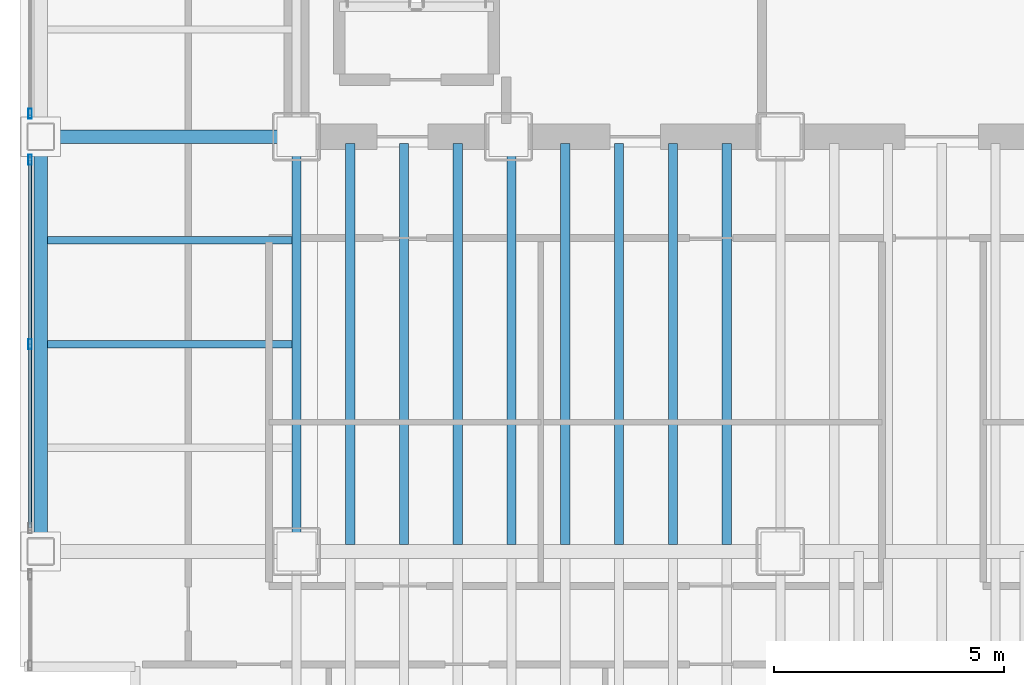
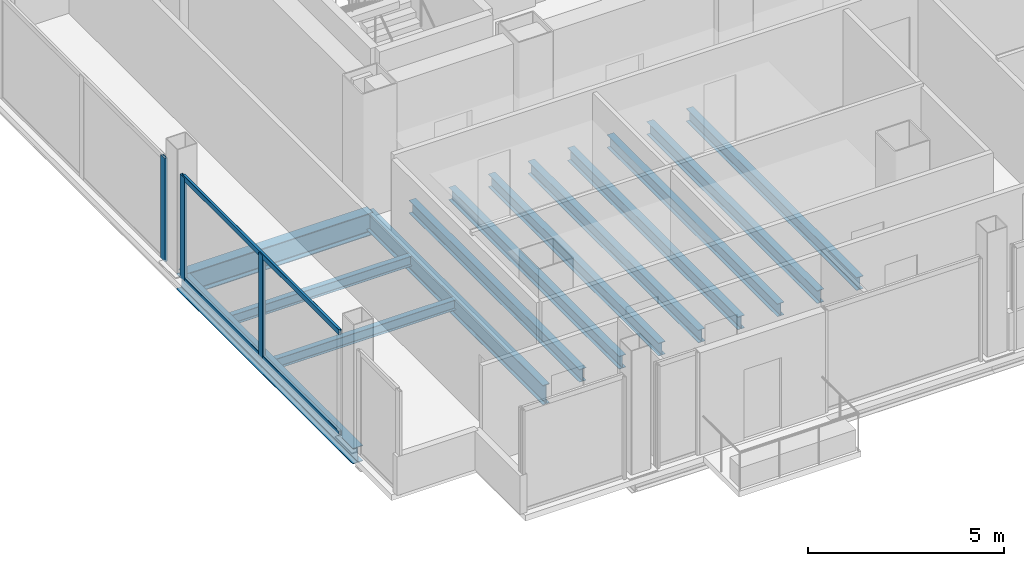
# One storey, part 3 of 20: 13 beams, 5 members, 2 elements without a shape of their own.
"""IFC4 building model written with IfcOpenShell, lengths in metres."""

from ifc_helpers import new_model, si_unit, direction, frame, origin, origin_2d, place, context, subcontext, project, spatial, hollow_rectangle, i_section, extrude, material, material_profile, profile_set, type_object, element, aggregate, save


model = new_model("IFC4")

# Units and contexts
model_context = context("Model", 3, precision=1e-05, world=origin(), true_north=direction((0.0, 1.0)))
body_context = subcontext(model_context, "Body", "Model", "MODEL_VIEW")
ifc_project = project(units=[si_unit("LENGTHUNIT", "METRE"), si_unit("AREAUNIT", "SQUARE_METRE"), si_unit("VOLUMEUNIT", "CUBIC_METRE"), si_unit("PLANEANGLEUNIT", "RADIAN"), si_unit("MASSUNIT", "GRAM", prefix="KILO")], contexts=[model_context])

# Site, building, storey
site_placement = place(None, origin())
site = spatial("IfcSite", under=ifc_project, at=site_placement, CompositionType="ELEMENT")
building_placement = place(site_placement, origin())
building = spatial("IfcBuilding", under=site, at=building_placement, Name="Noeulbin Bourse Tower", CompositionType="ELEMENT")
storey_placement = place(building_placement, frame((0.0, 0.0, 69.39990234375)))
storey = spatial("IfcBuildingStorey", under=building, at=storey_placement, Name="L17", CompositionType="ELEMENT", Elevation=69.39990234375)

# Beams
ifc_material_1 = material(Name="Steel S355", Category="steel")
ifc_material_profile_1 = material_profile(ifc_material_1, i_section(OverallWidth=0.199951171875, OverallDepth=0.60009765625, WebThickness=0.010986328125, FlangeThickness=0.01708984375, FilletRadius=0.02197265625, at=origin_2d()), Name="H-600x200x11x17", Category="LoadBearing")
ifc_profile_set_1 = profile_set([ifc_material_profile_1], Name="Steel S355")
beam_type_1 = type_object("IfcBeamType", Name="BM-GRD-600", PredefinedType="USERDEFINED", material=ifc_profile_set_1)
beam_1_placement = place(storey_placement, frame((13.5, 20.0, -0.47998046875), z_axis=(0.0, 1.0, 0.0), x_axis=(-1.0, 0.0, 0.0)))
element("IfcBeam", 1, at=beam_1_placement, inside=storey, type_object=beam_type_1, Name="Tower Primary Girder NS L17-1.2", ObjectType="GIRDER", PredefinedType="USERDEFINED", context=body_context, shape_type="SweptSolid", body=[
    extrude(i_section(OverallWidth=0.199951171875, OverallDepth=0.60009765625, WebThickness=0.010986328125, FlangeThickness=0.01708984375, FilletRadius=0.02197265625, at=origin_2d()), origin(), (0.0, 0.0, 1.0), 9.0),
])
ifc_material_profile_2 = material_profile(ifc_material_1, i_section(OverallWidth=0.300048828125, OverallDepth=0.699951171875, WebThickness=0.012939453125, FlangeThickness=0.02392578125, FilletRadius=0.02392578125, at=origin_2d()), Name="H-700x300x13x24", Category="LoadBearing")
ifc_profile_set_2 = profile_set([ifc_material_profile_2], Name="Steel S355")
beam_type_2 = type_object("IfcBeamType", Name="BM-GRD-700", PredefinedType="USERDEFINED", material=ifc_profile_set_2)
beam_2_placement = place(storey_placement, frame((7.949951171875, 29.0, -0.52978515625), z_axis=(1.0, 0.0, 0.0), x_axis=(0.0, 1.0, 0.0)))
element("IfcBeam", 2, at=beam_2_placement, inside=storey, type_object=beam_type_2, Name="Tower Primary Girder EW L17-2.1", ObjectType="GIRDER", PredefinedType="USERDEFINED", context=body_context, shape_type="SweptSolid", body=[
    extrude(i_section(OverallWidth=0.300048828125, OverallDepth=0.699951171875, WebThickness=0.012939453125, FlangeThickness=0.02392578125, FilletRadius=0.02392578125, at=origin_2d()), origin(), (0.0, 0.0, 1.0), 5.550048828125),
])
ifc_material_profile_3 = material_profile(ifc_material_1, i_section(OverallWidth=0.159912109375, OverallDepth=0.320068359375, WebThickness=0.006591796875, FlangeThickness=0.010009765625, FilletRadius=0.012939453125, at=origin_2d()), Name="H-320x160x6.5x10", Category="LoadBearing")
ifc_profile_set_3 = profile_set([ifc_material_profile_3], Name="Steel S355")
beam_type_3 = type_object("IfcBeamType", Name="BM-JST-320", PredefinedType="JOIST", material=ifc_profile_set_3)
for number, where, z_axis, x_axis, name in (
    (3, (8.10009765625, 24.5, -0.33984375), (1.0, 0.0, 0.0), (0.0, 1.0, 0.0), "Wing Composite Joist L17-W71"),
    (4, (8.10009765625, 26.75, -0.33984375), (1.0, 0.0, 0.0), (0.0, 1.0, 0.0), "Wing Composite Joist L17-W72"),
):
    element("IfcBeam", number, at=place(storey_placement, frame(where, z_axis=z_axis, x_axis=x_axis)), inside=storey, type_object=beam_type_3, Name=name, PredefinedType="JOIST", context=body_context, shape_type="SweptSolid", body=[
        extrude(i_section(OverallWidth=0.159912109375, OverallDepth=0.320068359375, WebThickness=0.006591796875, FlangeThickness=0.010009765625, FilletRadius=0.012939453125, at=origin_2d()), origin(), (0.0, 0.0, 1.0), 5.2998046875),
    ])
ifc_material_profile_4 = material_profile(ifc_material_1, i_section(OverallWidth=0.199951171875, OverallDepth=0.39990234375, WebThickness=0.008056640625, FlangeThickness=0.012939453125, FilletRadius=0.01611328125, at=origin_2d()), Name="H-400x200x8x13", Category="LoadBearing")
ifc_profile_set_4 = profile_set([ifc_material_profile_4], Name="Steel S355")
beam_type_4 = type_object("IfcBeamType", Name="BM-SEC-400", PredefinedType="BEAM", material=ifc_profile_set_4)
for number, where, z_axis, x_axis, name in (
    (5, (14.666748046875, 20.14990234375, -0.3798828125), (0.0, 1.0, 0.0), (-1.0, 0.0, 0.0), "Tower Composite Joist L17-02"),
    (6, (15.833251953125, 20.14990234375, -0.3798828125), (0.0, 1.0, 0.0), (-1.0, 0.0, 0.0), "Tower Composite Joist L17-05"),
    (7, (17.0, 20.14990234375, -0.3798828125), (0.0, 1.0, 0.0), (-1.0, 0.0, 0.0), "Tower Composite Joist L17-08"),
    (8, (18.166748046875, 20.14990234375, -0.3798828125), (0.0, 1.0, 0.0), (-1.0, 0.0, 0.0), "Tower Composite Joist L17-11"),
    (9, (19.333251953125, 20.14990234375, -0.3798828125), (0.0, 1.0, 0.0), (-1.0, 0.0, 0.0), "Tower Composite Joist L17-14"),
    (10, (20.5, 20.14990234375, -0.3798828125), (0.0, 1.0, 0.0), (-1.0, 0.0, 0.0), "Tower Composite Joist L17-17"),
    (11, (21.666748046875, 20.14990234375, -0.3798828125), (0.0, 1.0, 0.0), (-1.0, 0.0, 0.0), "Tower Composite Joist L17-20"),
    (12, (22.833251953125, 20.14990234375, -0.3798828125), (0.0, 1.0, 0.0), (-1.0, 0.0, 0.0), "Tower Composite Joist L17-23"),
):
    element("IfcBeam", number, at=place(storey_placement, frame(where, z_axis=z_axis, x_axis=x_axis)), inside=storey, type_object=beam_type_4, Name=name, PredefinedType="BEAM", context=body_context, shape_type="SweptSolid", body=[
        extrude(i_section(OverallWidth=0.199951171875, OverallDepth=0.39990234375, WebThickness=0.008056640625, FlangeThickness=0.012939453125, FilletRadius=0.01611328125, at=origin_2d()), origin(), (0.0, 0.0, 1.0), 8.7001953125),
    ])
ifc_material_profile_5 = material_profile(ifc_material_1, i_section(OverallWidth=0.300048828125, OverallDepth=0.488037109375, WebThickness=0.010986328125, FlangeThickness=0.01806640625, FilletRadius=0.02197265625, at=origin_2d()), Name="H-488x300x11x18", Category="LoadBearing")
ifc_profile_set_5 = profile_set([ifc_material_profile_5], Name="Steel S355")
beam_type_5 = type_object("IfcBeamType", Name="BM-SPN-488", PredefinedType="SPANDREL", material=ifc_profile_set_5)
beam_3_placement = place(storey_placement, frame((7.949951171875, 20.0, -0.423828125), z_axis=(0.0, 1.0, 0.0), x_axis=(-1.0, 0.0, 0.0)))
element("IfcBeam", 13, at=beam_3_placement, inside=storey, type_object=beam_type_5, Name="West Spandrel L17-1", PredefinedType="SPANDREL", context=body_context, shape_type="SweptSolid", body=[
    extrude(i_section(OverallWidth=0.300048828125, OverallDepth=0.488037109375, WebThickness=0.010986328125, FlangeThickness=0.01806640625, FilletRadius=0.02197265625, at=origin_2d()), origin(), (0.0, 0.0, 1.0), 9.0),
])

# Curtain wall, members
ifc_material_2 = material(Name="Dark Solar-Control Double Glazing", Category="glass")
curtain_wall_type = type_object("IfcCurtainWallType", Name="CW-SYS-2", PredefinedType="NOTDEFINED", material=ifc_material_2)
curtain_wall_1_placement = place(storey_placement, origin())
curtain_wall_1 = element("IfcCurtainWall", 14, at=curtain_wall_1_placement, inside=storey, type_object=curtain_wall_type, Name="Unitised Curtain Wall CW-L17-W-S2", PredefinedType="NOTDEFINED")
ifc_material_3 = material(Name="Anodised Aluminium 6063-T6", Category="aluminium")
ifc_material_profile_6 = material_profile(ifc_material_3, hollow_rectangle(XDim=0.074951171875, YDim=0.219970703125, WallThickness=0.0048828125, InnerFilletRadius=0.00244140625, OuterFilletRadius=0.0048828125, at=origin_2d()), Name="ALU-MULL-75x220x5", Category="LoadBearing")
ifc_profile_set_6 = profile_set([ifc_material_profile_6], Name="Anodised Aluminium 6063-T6")
member_type_1 = type_object("IfcMemberType", Name="CW-SYS-2-MUL", PredefinedType="MULLION", material=ifc_profile_set_6)
member_1_placement = place(storey_placement, frame((7.719970703125, 24.5, -0.02001953125), z_axis=(0.0, 0.0, 1.0), x_axis=(1.0, 0.0, 0.0)))
member_1 = element("IfcMember", 15, at=member_1_placement, type_object=member_type_1, Name="Curtain Wall Mullion CW-L17-W-S2-M01", PredefinedType="MULLION", context=body_context, shape_type="SweptSolid", body=[
    extrude(hollow_rectangle(XDim=0.074951171875, YDim=0.219970703125, WallThickness=0.0048828125, InnerFilletRadius=0.00244140625, OuterFilletRadius=0.0048828125, at=origin_2d()), origin(), (0.0, 0.0, 1.0), 3.22021484375),
])
member_2_placement = place(storey_placement, frame((7.719970703125, 28.5, -0.02001953125), z_axis=(0.0, 0.0, 1.0), x_axis=(1.0, 0.0, 0.0)))
member_2 = element("IfcMember", 16, at=member_2_placement, type_object=member_type_1, Name="Curtain Wall Mullion CW-L17-W-S2-M02", PredefinedType="MULLION", context=body_context, shape_type="SweptSolid", body=[
    extrude(hollow_rectangle(XDim=0.074951171875, YDim=0.219970703125, WallThickness=0.0048828125, InnerFilletRadius=0.00244140625, OuterFilletRadius=0.0048828125, at=origin_2d()), origin(), (0.0, 0.0, 1.0), 3.22021484375),
])

# Curtain wall, member
curtain_wall_2_placement = place(storey_placement, origin())
curtain_wall_2 = element("IfcCurtainWall", 17, at=curtain_wall_2_placement, inside=storey, type_object=curtain_wall_type, Name="Unitised Curtain Wall CW-L17-W-S3", PredefinedType="NOTDEFINED")
member_3_placement = place(storey_placement, frame((7.719970703125, 29.5, -0.02001953125), z_axis=(0.0, 0.0, 1.0), x_axis=(1.0, 0.0, 0.0)))
member_3 = element("IfcMember", 18, at=member_3_placement, type_object=member_type_1, Name="Curtain Wall Mullion CW-L17-W-S3-M00", PredefinedType="MULLION", context=body_context, shape_type="SweptSolid", body=[
    extrude(hollow_rectangle(XDim=0.074951171875, YDim=0.219970703125, WallThickness=0.0048828125, InnerFilletRadius=0.00244140625, OuterFilletRadius=0.0048828125, at=origin_2d()), origin(), (0.0, 0.0, 1.0), 3.22021484375),
])
aggregate(curtain_wall_2, [member_3])

# Member
ifc_material_profile_7 = material_profile(ifc_material_3, hollow_rectangle(XDim=0.074951171875, YDim=0.159912109375, WallThickness=0.0048828125, InnerFilletRadius=0.00244140625, OuterFilletRadius=0.0048828125, at=origin_2d()), Name="ALU-TRAN-75x160x5", Category="LoadBearing")
ifc_profile_set_7 = profile_set([ifc_material_profile_7], Name="Anodised Aluminium 6063-T6")
member_type_2 = type_object("IfcMemberType", Name="CW-SYS-2-TRN", PredefinedType="USERDEFINED", material=ifc_profile_set_7)
member_4_placement = place(storey_placement, frame((7.719970703125, 20.510009765625, 0.010009765625), z_axis=(0.0, 1.0, 0.0), x_axis=(-1.0, 0.0, 0.0)))
member_4 = element("IfcMember", 19, at=member_4_placement, type_object=member_type_2, Name="Curtain Wall Transom CW-L17-W-S2-T00", ObjectType="TRANSOM", PredefinedType="USERDEFINED", context=body_context, shape_type="SweptSolid", body=[
    extrude(hollow_rectangle(XDim=0.074951171875, YDim=0.159912109375, WallThickness=0.0048828125, InnerFilletRadius=0.00244140625, OuterFilletRadius=0.0048828125, at=origin_2d()), origin(), (0.0, 0.0, 1.0), 7.97998046875),
])

member_5_placement = place(storey_placement, frame((7.719970703125, 20.510009765625, 3.170166015625), z_axis=(0.0, 1.0, 0.0), x_axis=(-1.0, 0.0, 0.0)))
member_5 = element("IfcMember", 20, at=member_5_placement, type_object=member_type_2, Name="Curtain Wall Transom CW-L17-W-S2-T01", ObjectType="TRANSOM", PredefinedType="USERDEFINED", context=body_context, shape_type="SweptSolid", body=[
    extrude(hollow_rectangle(XDim=0.074951171875, YDim=0.159912109375, WallThickness=0.0048828125, InnerFilletRadius=0.00244140625, OuterFilletRadius=0.0048828125, at=origin_2d()), origin(), (0.0, 0.0, 1.0), 7.97998046875),
])

aggregate(curtain_wall_1, [member_1, member_2, member_4, member_5])

save(model, "model.ifc")
